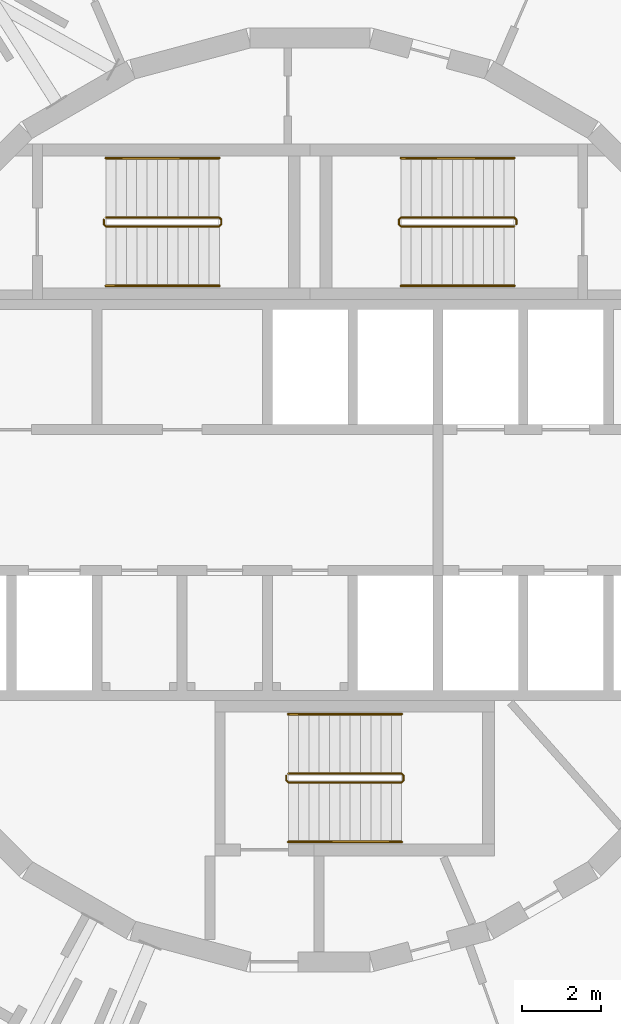
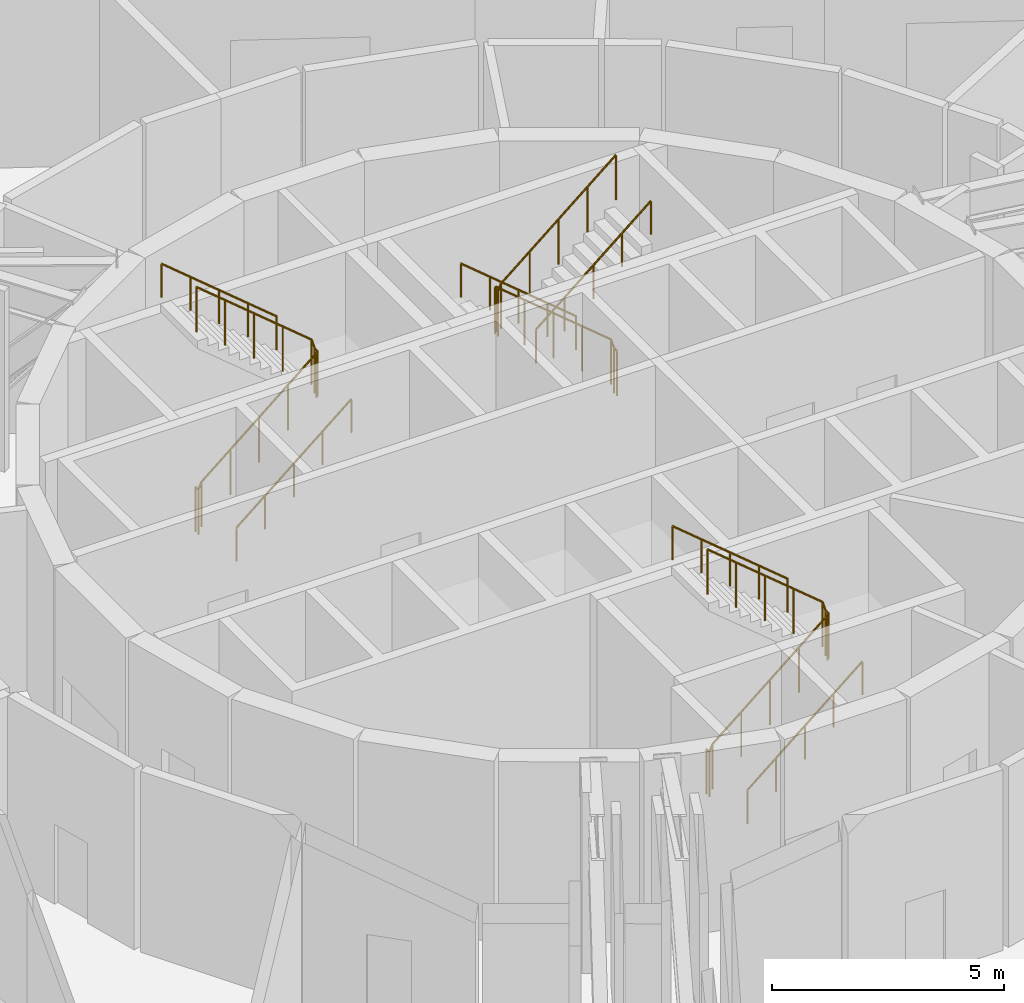
# One storey, part 12 of 12: 9 railings.
"""IFC4 building model written with IfcOpenShell, lengths in metres."""

from ifc_helpers import new_model, si_unit, direction, frame, origin, origin_2d, place, context, subcontext, project, spatial, circle, extrude, material, type_object, element, save


model = new_model("IFC4")

# Units and contexts
model_context = context("Model", 3, precision=1e-05, world=origin(), true_north=direction((0.0, 1.0)))
body_context = subcontext(model_context, "Body", "Model", "MODEL_VIEW")
ifc_project = project(units=[si_unit("LENGTHUNIT", "METRE"), si_unit("AREAUNIT", "SQUARE_METRE"), si_unit("VOLUMEUNIT", "CUBIC_METRE"), si_unit("PLANEANGLEUNIT", "RADIAN"), si_unit("MASSUNIT", "GRAM", prefix="KILO")], contexts=[model_context])

# Site, building, storey
site_placement = place(None, origin())
site = spatial("IfcSite", under=ifc_project, at=site_placement, CompositionType="ELEMENT")
building_placement = place(site_placement, origin())
building = spatial("IfcBuilding", under=site, at=building_placement, Name="Spindle Arch Residences", CompositionType="ELEMENT")
storey_placement = place(building_placement, frame((0.0, 0.0, 258.199951171875)))
storey = spatial("IfcBuildingStorey", under=building, at=storey_placement, Name="L66", CompositionType="ELEMENT", Elevation=258.199951171875)

# Railings
ifc_material_1 = material(Name="Steel, painted", Category="steel")
railing_type_1 = type_object("IfcRailingType", Name="Stair guard 1100", PredefinedType="GUARDRAIL", material=ifc_material_1)
railing_1_placement = place(storey_placement, frame((5.14990234375, 6.89990234375, 5.199951171875)))
element("IfcRailing", 1, at=railing_1_placement, inside=storey, type_object=railing_type_1, Name="L66 ST1 stair guard 1", PredefinedType="GUARDRAIL", context=body_context, shape_type="SweptSolid", body=[
    extrude(circle(Radius=0.02392578125, at=origin_2d()), frame((0.0, 0.0, 1.17578125), z_axis=(-0.76821052858, 0.0, -0.640197300665), x_axis=(0.0, -1.0, 0.0)), (0.0, 0.0, 1.0), 3.72265625),
    extrude(circle(Radius=0.02392578125, at=origin_2d()), frame((-2.85986328125, 0.0, -1.20751953125), z_axis=(-0.219679693006, 0.219679693006, -0.950516525349), x_axis=(-0.707106781187, -0.707106781187, 0.0)), (0.0, 0.0, 1.0), 0.227783203125),
    extrude(circle(Radius=0.02392578125, at=origin_2d()), frame((-2.909912109375, 0.050048828125, -1.423828125), z_axis=(0.0, 1.0, 0.0), x_axis=(-1.0, 0.0, 0.0)), (0.0, 0.0, 1.0), 0.1201171875),
    extrude(circle(Radius=0.02392578125, at=origin_2d()), frame((-2.909912109375, 0.170166015625, -1.423828125), z_axis=(0.707106781187, 0.707106781187, 0.0), x_axis=(-0.707106781187, 0.707106781187, 0.0)), (0.0, 0.0, 1.0), 0.07080078125),
    extrude(circle(Radius=0.02392578125, at=origin_2d()), frame((-2.85986328125, 0.22021484375, -1.423828125), z_axis=(0.76821052858, 0.0, -0.640197300665), x_axis=(0.0, 1.0, 0.0)), (0.0, 0.0, 1.0), 3.72265625),
    extrude(circle(Radius=0.02392578125, at=origin_2d()), frame((0.0, 0.22021484375, -3.80712890625), z_axis=(0.219456146917, -0.219456146917, -0.950619797375), x_axis=(0.707106781187, 0.707106781187, 0.0)), (0.0, 0.0, 1.0), 0.22802734375),
    extrude(circle(Radius=0.02392578125, at=origin_2d()), frame((0.050048828125, 0.170166015625, -4.02392578125), z_axis=(0.0, -1.0, 0.0), x_axis=(1.0, 0.0, 0.0)), (0.0, 0.0, 1.0), 0.1201171875),
    extrude(circle(Radius=0.02099609375, at=origin_2d()), origin(), (0.0, 0.0, 1.0), 1.15185546875),
    extrude(circle(Radius=0.02099609375, at=origin_2d()), frame((-0.71484375, 0.0, -0.595703125)), (0.0, 0.0, 1.0), 1.15185546875),
    extrude(circle(Radius=0.02099609375, at=origin_2d()), frame((-1.429931640625, 0.0, -1.191650390625)), (0.0, 0.0, 1.0), 1.15185546875),
    extrude(circle(Radius=0.02099609375, at=origin_2d()), frame((-2.14501953125, 0.0, -1.78759765625)), (0.0, 0.0, 1.0), 1.15185546875),
    extrude(circle(Radius=0.02099609375, at=origin_2d()), frame((-2.85986328125, 0.0, -2.38330078125)), (0.0, 0.0, 1.0), 1.15185546875),
    extrude(circle(Radius=0.02099609375, at=origin_2d()), frame((-2.909912109375, 0.050048828125, -2.599853515625)), (0.0, 0.0, 1.0), 1.15185546875),
    extrude(circle(Radius=0.02099609375, at=origin_2d()), frame((-2.909912109375, 0.170166015625, -2.599853515625)), (0.0, 0.0, 1.0), 1.15185546875),
    extrude(circle(Radius=0.02099609375, at=origin_2d()), frame((-2.85986328125, 0.22021484375, -2.599853515625)), (0.0, 0.0, 1.0), 1.15185546875),
    extrude(circle(Radius=0.02099609375, at=origin_2d()), frame((-2.14501953125, 0.22021484375, -3.19580078125)), (0.0, 0.0, 1.0), 1.15185546875),
    extrude(circle(Radius=0.02099609375, at=origin_2d()), frame((-1.429931640625, 0.22021484375, -3.79150390625)), (0.0, 0.0, 1.0), 1.15185546875),
    extrude(circle(Radius=0.02099609375, at=origin_2d()), frame((-0.71484375, 0.22021484375, -4.38720703125)), (0.0, 0.0, 1.0), 1.15185546875),
    extrude(circle(Radius=0.02099609375, at=origin_2d()), frame((0.0, 0.22021484375, -4.983154296875)), (0.0, 0.0, 1.0), 1.15185546875),
    extrude(circle(Radius=0.02099609375, at=origin_2d()), frame((0.050048828125, 0.170166015625, -5.199951171875)), (0.0, 0.0, 1.0), 1.15185546875),
    extrude(circle(Radius=0.02099609375, at=origin_2d()), frame((0.050048828125, 0.050048828125, -5.199951171875)), (0.0, 0.0, 1.0), 1.15185546875),
])
railing_2_placement = place(storey_placement, frame((-5.14990234375, 7.1201171875, 5.199951171875)))
element("IfcRailing", 2, at=railing_2_placement, inside=storey, type_object=railing_type_1, Name="L66 ST2 stair guard 1", PredefinedType="GUARDRAIL", context=body_context, shape_type="SweptSolid", body=[
    extrude(circle(Radius=0.02392578125, at=origin_2d()), frame((0.0, 0.0, 1.17578125), z_axis=(0.76821052858, 0.0, -0.640197300665), x_axis=(0.0, 1.0, 0.0)), (0.0, 0.0, 1.0), 3.72265625),
    extrude(circle(Radius=0.02392578125, at=origin_2d()), frame((2.85986328125, 0.0, -1.20751953125), z_axis=(0.219679693006, -0.219679693006, -0.950516525349), x_axis=(0.707106781187, 0.707106781187, 0.0)), (0.0, 0.0, 1.0), 0.227783203125),
    extrude(circle(Radius=0.02392578125, at=origin_2d()), frame((2.909912109375, -0.050048828125, -1.423828125), z_axis=(0.0, -1.0, 0.0), x_axis=(1.0, 0.0, 0.0)), (0.0, 0.0, 1.0), 0.1201171875),
    extrude(circle(Radius=0.02392578125, at=origin_2d()), frame((2.909912109375, -0.170166015625, -1.423828125), z_axis=(-0.707106781187, -0.707106781187, 0.0), x_axis=(0.707106781187, -0.707106781187, 0.0)), (0.0, 0.0, 1.0), 0.07080078125),
    extrude(circle(Radius=0.02392578125, at=origin_2d()), frame((2.85986328125, -0.22021484375, -1.423828125), z_axis=(-0.76821052858, 0.0, -0.640197300665), x_axis=(0.0, -1.0, 0.0)), (0.0, 0.0, 1.0), 3.72265625),
    extrude(circle(Radius=0.02392578125, at=origin_2d()), frame((0.0, -0.22021484375, -3.80712890625), z_axis=(-0.219456146917, 0.219456146917, -0.950619797375), x_axis=(-0.707106781187, -0.707106781187, 0.0)), (0.0, 0.0, 1.0), 0.22802734375),
    extrude(circle(Radius=0.02392578125, at=origin_2d()), frame((-0.050048828125, -0.170166015625, -4.02392578125), z_axis=(0.0, 1.0, 0.0), x_axis=(-1.0, 0.0, 0.0)), (0.0, 0.0, 1.0), 0.1201171875),
    extrude(circle(Radius=0.02099609375, at=origin_2d()), origin(), (0.0, 0.0, 1.0), 1.15185546875),
    extrude(circle(Radius=0.02099609375, at=origin_2d()), frame((0.71484375, 0.0, -0.595703125)), (0.0, 0.0, 1.0), 1.15185546875),
    extrude(circle(Radius=0.02099609375, at=origin_2d()), frame((1.429931640625, 0.0, -1.191650390625)), (0.0, 0.0, 1.0), 1.15185546875),
    extrude(circle(Radius=0.02099609375, at=origin_2d()), frame((2.14501953125, 0.0, -1.78759765625)), (0.0, 0.0, 1.0), 1.15185546875),
    extrude(circle(Radius=0.02099609375, at=origin_2d()), frame((2.85986328125, 0.0, -2.38330078125)), (0.0, 0.0, 1.0), 1.15185546875),
    extrude(circle(Radius=0.02099609375, at=origin_2d()), frame((2.909912109375, -0.050048828125, -2.599853515625)), (0.0, 0.0, 1.0), 1.15185546875),
    extrude(circle(Radius=0.02099609375, at=origin_2d()), frame((2.909912109375, -0.170166015625, -2.599853515625)), (0.0, 0.0, 1.0), 1.15185546875),
    extrude(circle(Radius=0.02099609375, at=origin_2d()), frame((2.85986328125, -0.22021484375, -2.599853515625)), (0.0, 0.0, 1.0), 1.15185546875),
    extrude(circle(Radius=0.02099609375, at=origin_2d()), frame((2.14501953125, -0.22021484375, -3.19580078125)), (0.0, 0.0, 1.0), 1.15185546875),
    extrude(circle(Radius=0.02099609375, at=origin_2d()), frame((1.429931640625, -0.22021484375, -3.79150390625)), (0.0, 0.0, 1.0), 1.15185546875),
    extrude(circle(Radius=0.02099609375, at=origin_2d()), frame((0.71484375, -0.22021484375, -4.38720703125)), (0.0, 0.0, 1.0), 1.15185546875),
    extrude(circle(Radius=0.02099609375, at=origin_2d()), frame((0.0, -0.22021484375, -4.983154296875)), (0.0, 0.0, 1.0), 1.15185546875),
    extrude(circle(Radius=0.02099609375, at=origin_2d()), frame((-0.050048828125, -0.170166015625, -5.199951171875)), (0.0, 0.0, 1.0), 1.15185546875),
    extrude(circle(Radius=0.02099609375, at=origin_2d()), frame((-0.050048828125, -0.050048828125, -5.199951171875)), (0.0, 0.0, 1.0), 1.15185546875),
])
railing_3_placement = place(storey_placement, frame((-0.550048828125, -6.89990234375, 5.199951171875)))
element("IfcRailing", 3, at=railing_3_placement, inside=storey, type_object=railing_type_1, Name="L66 ST3 stair guard 1", PredefinedType="GUARDRAIL", context=body_context, shape_type="SweptSolid", body=[
    extrude(circle(Radius=0.02392578125, at=origin_2d()), frame((0.0, 0.0, 1.17578125), z_axis=(0.768237404905, 0.0, -0.640165048799), x_axis=(0.0, 1.0, 0.0)), (0.0, 0.0, 1.0), 3.722900390625),
    extrude(circle(Radius=0.02392578125, at=origin_2d()), frame((2.860107421875, 0.0, -1.20751953125), z_axis=(0.219679693006, -0.219679693006, -0.950516525349), x_axis=(0.707106781187, 0.707106781187, 0.0)), (0.0, 0.0, 1.0), 0.227783203125),
    extrude(circle(Radius=0.02392578125, at=origin_2d()), frame((2.91015625, -0.050048828125, -1.423828125), z_axis=(0.0, -1.0, 0.0), x_axis=(1.0, 0.0, 0.0)), (0.0, 0.0, 1.0), 0.1201171875),
    extrude(circle(Radius=0.02392578125, at=origin_2d()), frame((2.91015625, -0.170166015625, -1.423828125), z_axis=(-0.707106781187, -0.707106781187, 0.0), x_axis=(0.707106781187, -0.707106781187, 0.0)), (0.0, 0.0, 1.0), 0.07080078125),
    extrude(circle(Radius=0.02392578125, at=origin_2d()), frame((2.860107421875, -0.22021484375, -1.423828125), z_axis=(-0.768237404905, 0.0, -0.640165048799), x_axis=(0.0, -1.0, 0.0)), (0.0, 0.0, 1.0), 3.722900390625),
    extrude(circle(Radius=0.02392578125, at=origin_2d()), frame((0.0, -0.22021484375, -3.80712890625), z_axis=(-0.219456146917, 0.219456146917, -0.950619797375), x_axis=(-0.707106781187, -0.707106781187, 0.0)), (0.0, 0.0, 1.0), 0.22802734375),
    extrude(circle(Radius=0.02392578125, at=origin_2d()), frame((-0.050048828125, -0.170166015625, -4.02392578125), z_axis=(0.0, 1.0, 0.0), x_axis=(-1.0, 0.0, 0.0)), (0.0, 0.0, 1.0), 0.1201171875),
    extrude(circle(Radius=0.02099609375, at=origin_2d()), origin(), (0.0, 0.0, 1.0), 1.15185546875),
    extrude(circle(Radius=0.02099609375, at=origin_2d()), frame((0.715087890625, 0.0, -0.595703125)), (0.0, 0.0, 1.0), 1.15185546875),
    extrude(circle(Radius=0.02099609375, at=origin_2d()), frame((1.43017578125, 0.0, -1.191650390625)), (0.0, 0.0, 1.0), 1.15185546875),
    extrude(circle(Radius=0.02099609375, at=origin_2d()), frame((2.14501953125, 0.0, -1.78759765625)), (0.0, 0.0, 1.0), 1.15185546875),
    extrude(circle(Radius=0.02099609375, at=origin_2d()), frame((2.860107421875, 0.0, -2.38330078125)), (0.0, 0.0, 1.0), 1.15185546875),
    extrude(circle(Radius=0.02099609375, at=origin_2d()), frame((2.91015625, -0.050048828125, -2.599853515625)), (0.0, 0.0, 1.0), 1.15185546875),
    extrude(circle(Radius=0.02099609375, at=origin_2d()), frame((2.91015625, -0.170166015625, -2.599853515625)), (0.0, 0.0, 1.0), 1.15185546875),
    extrude(circle(Radius=0.02099609375, at=origin_2d()), frame((2.860107421875, -0.22021484375, -2.599853515625)), (0.0, 0.0, 1.0), 1.15185546875),
    extrude(circle(Radius=0.02099609375, at=origin_2d()), frame((2.14501953125, -0.22021484375, -3.19580078125)), (0.0, 0.0, 1.0), 1.15185546875),
    extrude(circle(Radius=0.02099609375, at=origin_2d()), frame((1.43017578125, -0.22021484375, -3.79150390625)), (0.0, 0.0, 1.0), 1.15185546875),
    extrude(circle(Radius=0.02099609375, at=origin_2d()), frame((0.715087890625, -0.22021484375, -4.38720703125)), (0.0, 0.0, 1.0), 1.15185546875),
    extrude(circle(Radius=0.02099609375, at=origin_2d()), frame((0.0, -0.22021484375, -4.983154296875)), (0.0, 0.0, 1.0), 1.15185546875),
    extrude(circle(Radius=0.02099609375, at=origin_2d()), frame((-0.050048828125, -0.170166015625, -5.199951171875)), (0.0, 0.0, 1.0), 1.15185546875),
    extrude(circle(Radius=0.02099609375, at=origin_2d()), frame((-0.050048828125, -0.050048828125, -5.199951171875)), (0.0, 0.0, 1.0), 1.15185546875),
])
ifc_material_2 = material(Name="Steel, painted", Category="steel")
railing_type_2 = type_object("IfcRailingType", Name="Stair handrail 900", PredefinedType="HANDRAIL", material=ifc_material_2)
railing_4_placement = place(storey_placement, frame((5.14990234375, 8.6201171875, 0.216796875)))
element("IfcRailing", 4, at=railing_4_placement, inside=storey, type_object=railing_type_2, Name="L66 ST1 stair handrail 1", PredefinedType="HANDRAIL", context=body_context, shape_type="SweptSolid", body=[
    extrude(circle(Radius=0.02392578125, at=origin_2d()), frame((0.0, 0.0, 0.8759765625), z_axis=(-0.76821052858, 0.0, 0.640197300665), x_axis=(0.0, -1.0, 0.0)), (0.0, 0.0, 1.0), 3.72265625),
    extrude(circle(Radius=0.02099609375, at=origin_2d()), origin(), (0.0, 0.0, 1.0), 0.851806640625),
    extrude(circle(Radius=0.02099609375, at=origin_2d()), frame((-0.71484375, 0.0, 0.595703125)), (0.0, 0.0, 1.0), 0.851806640625),
    extrude(circle(Radius=0.02099609375, at=origin_2d()), frame((-1.429931640625, 0.0, 1.191650390625)), (0.0, 0.0, 1.0), 0.851806640625),
    extrude(circle(Radius=0.02099609375, at=origin_2d()), frame((-2.14501953125, 0.0, 1.78759765625)), (0.0, 0.0, 1.0), 0.851806640625),
    extrude(circle(Radius=0.02099609375, at=origin_2d()), frame((-2.85986328125, 0.0, 2.38330078125)), (0.0, 0.0, 1.0), 0.851806640625),
])
for number, where, name in (
    (5, (2.2900390625, 5.39990234375, 2.816650390625), "L66 ST1 stair handrail 2"),
    (6, (-5.14990234375, 5.39990234375, 0.216796875), "L66 ST2 stair handrail 1"),
):
    element("IfcRailing", number, at=place(storey_placement, frame(where)), inside=storey, type_object=railing_type_2, Name=name, PredefinedType="HANDRAIL", context=body_context, shape_type="SweptSolid", body=[
        extrude(circle(Radius=0.02392578125, at=origin_2d()), frame((0.0, 0.0, 0.8759765625), z_axis=(0.76821052858, 0.0, 0.640197300665), x_axis=(0.0, 1.0, 0.0)), (0.0, 0.0, 1.0), 3.72265625),
        extrude(circle(Radius=0.02099609375, at=origin_2d()), origin(), (0.0, 0.0, 1.0), 0.851806640625),
        extrude(circle(Radius=0.02099609375, at=origin_2d()), frame((0.71484375, 0.0, 0.595703125)), (0.0, 0.0, 1.0), 0.851806640625),
        extrude(circle(Radius=0.02099609375, at=origin_2d()), frame((1.429931640625, 0.0, 1.191650390625)), (0.0, 0.0, 1.0), 0.851806640625),
        extrude(circle(Radius=0.02099609375, at=origin_2d()), frame((2.14501953125, 0.0, 1.78759765625)), (0.0, 0.0, 1.0), 0.851806640625),
        extrude(circle(Radius=0.02099609375, at=origin_2d()), frame((2.85986328125, 0.0, 2.38330078125)), (0.0, 0.0, 1.0), 0.851806640625),
    ])
railing_5_placement = place(storey_placement, frame((-2.2900390625, 8.6201171875, 2.816650390625)))
element("IfcRailing", 7, at=railing_5_placement, inside=storey, type_object=railing_type_2, Name="L66 ST2 stair handrail 2", PredefinedType="HANDRAIL", context=body_context, shape_type="SweptSolid", body=[
    extrude(circle(Radius=0.02392578125, at=origin_2d()), frame((0.0, 0.0, 0.8759765625), z_axis=(-0.76821052858, 0.0, 0.640197300665), x_axis=(0.0, -1.0, 0.0)), (0.0, 0.0, 1.0), 3.72265625),
    extrude(circle(Radius=0.02099609375, at=origin_2d()), origin(), (0.0, 0.0, 1.0), 0.851806640625),
    extrude(circle(Radius=0.02099609375, at=origin_2d()), frame((-0.71484375, 0.0, 0.595703125)), (0.0, 0.0, 1.0), 0.851806640625),
    extrude(circle(Radius=0.02099609375, at=origin_2d()), frame((-1.429931640625, 0.0, 1.191650390625)), (0.0, 0.0, 1.0), 0.851806640625),
    extrude(circle(Radius=0.02099609375, at=origin_2d()), frame((-2.14501953125, 0.0, 1.78759765625)), (0.0, 0.0, 1.0), 0.851806640625),
    extrude(circle(Radius=0.02099609375, at=origin_2d()), frame((-2.85986328125, 0.0, 2.38330078125)), (0.0, 0.0, 1.0), 0.851806640625),
])
railing_6_placement = place(storey_placement, frame((-0.550048828125, -8.6201171875, 0.216796875)))
element("IfcRailing", 8, at=railing_6_placement, inside=storey, type_object=railing_type_2, Name="L66 ST3 stair handrail 1", PredefinedType="HANDRAIL", context=body_context, shape_type="SweptSolid", body=[
    extrude(circle(Radius=0.02392578125, at=origin_2d()), frame((0.0, 0.0, 0.8759765625), z_axis=(0.768237404905, 0.0, 0.640165048799), x_axis=(0.0, 1.0, 0.0)), (0.0, 0.0, 1.0), 3.722900390625),
    extrude(circle(Radius=0.02099609375, at=origin_2d()), origin(), (0.0, 0.0, 1.0), 0.851806640625),
    extrude(circle(Radius=0.02099609375, at=origin_2d()), frame((0.715087890625, 0.0, 0.595703125)), (0.0, 0.0, 1.0), 0.851806640625),
    extrude(circle(Radius=0.02099609375, at=origin_2d()), frame((1.43017578125, 0.0, 1.191650390625)), (0.0, 0.0, 1.0), 0.851806640625),
    extrude(circle(Radius=0.02099609375, at=origin_2d()), frame((2.14501953125, 0.0, 1.78759765625)), (0.0, 0.0, 1.0), 0.851806640625),
    extrude(circle(Radius=0.02099609375, at=origin_2d()), frame((2.860107421875, 0.0, 2.38330078125)), (0.0, 0.0, 1.0), 0.851806640625),
])
railing_7_placement = place(storey_placement, frame((2.31005859375, -5.39990234375, 2.816650390625)))
element("IfcRailing", 9, at=railing_7_placement, inside=storey, type_object=railing_type_2, Name="L66 ST3 stair handrail 2", PredefinedType="HANDRAIL", context=body_context, shape_type="SweptSolid", body=[
    extrude(circle(Radius=0.02392578125, at=origin_2d()), frame((0.0, 0.0, 0.8759765625), z_axis=(-0.768237404905, 0.0, 0.640165048799), x_axis=(0.0, -1.0, 0.0)), (0.0, 0.0, 1.0), 3.722900390625),
    extrude(circle(Radius=0.02099609375, at=origin_2d()), origin(), (0.0, 0.0, 1.0), 0.851806640625),
    extrude(circle(Radius=0.02099609375, at=origin_2d()), frame((-0.715087890625, 0.0, 0.595703125)), (0.0, 0.0, 1.0), 0.851806640625),
    extrude(circle(Radius=0.02099609375, at=origin_2d()), frame((-1.43017578125, 0.0, 1.191650390625)), (0.0, 0.0, 1.0), 0.851806640625),
    extrude(circle(Radius=0.02099609375, at=origin_2d()), frame((-2.14501953125, 0.0, 1.78759765625)), (0.0, 0.0, 1.0), 0.851806640625),
    extrude(circle(Radius=0.02099609375, at=origin_2d()), frame((-2.860107421875, 0.0, 2.38330078125)), (0.0, 0.0, 1.0), 0.851806640625),
])

save(model, "model.ifc")
